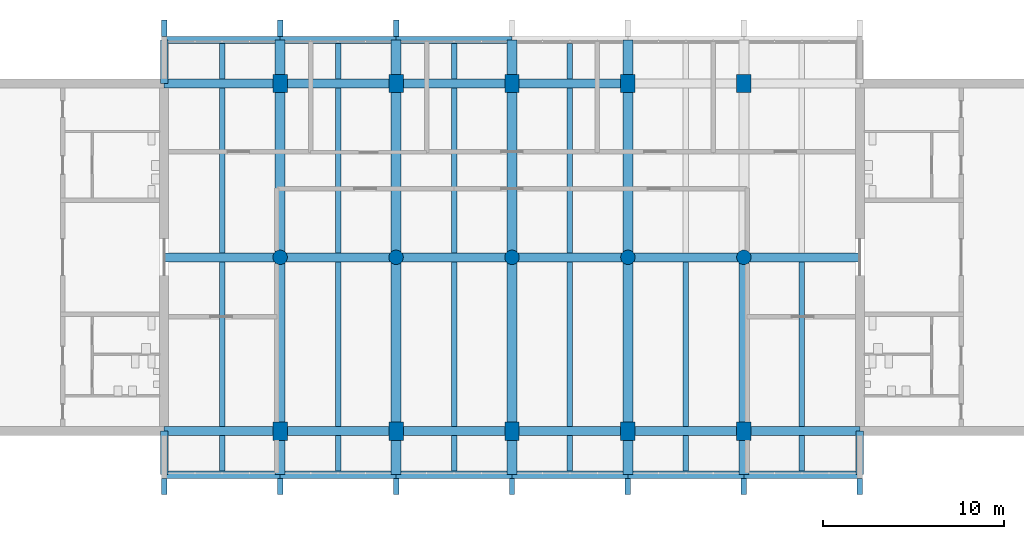
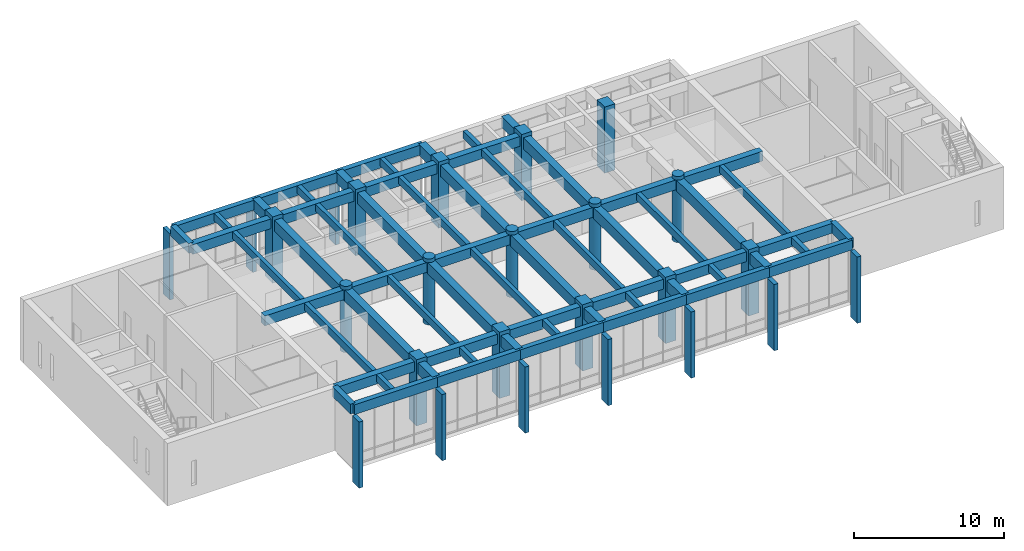
# One storey, part 1 of 10: 66 beams, 15 columns, 10 members.
"""IFC4 building model written with IfcOpenShell, lengths in metres."""

from ifc_helpers import new_model, si_unit, direction, frame, origin, origin_2d, place, context, subcontext, project, spatial, rectangle, circle, extrude, material, material_profile, profile_set, type_object, element, save


model = new_model("IFC4")

# Units and contexts
model_context = context("Model", 3, precision=1e-05, world=origin(), true_north=direction((0.0, 1.0)))
body_context = subcontext(model_context, "Body", "Model", "MODEL_VIEW")
ifc_project = project(units=[si_unit("LENGTHUNIT", "METRE"), si_unit("AREAUNIT", "SQUARE_METRE"), si_unit("VOLUMEUNIT", "CUBIC_METRE"), si_unit("PLANEANGLEUNIT", "RADIAN"), si_unit("MASSUNIT", "GRAM", prefix="KILO")], contexts=[model_context])

# Site, building, storey
site_placement = place(None, origin())
site = spatial("IfcSite", under=ifc_project, at=site_placement, CompositionType="ELEMENT")
building_placement = place(site_placement, origin())
building = spatial("IfcBuilding", under=site, at=building_placement, Name="Fogon Plaza Fire Station and Headquarters Tower", CompositionType="ELEMENT")
storey_placement = place(building_placement, frame((0.0, 0.0, 64.199951171875)))
storey = spatial("IfcBuildingStorey", under=building, at=storey_placement, Name="L16", CompositionType="ELEMENT", Elevation=64.199951171875)

# Columns
ifc_material_1 = material(Name="Concrete C40", Category="concrete")
ifc_material_profile_1 = material_profile(ifc_material_1, rectangle(XDim=0.800048828125, YDim=1.0, at=origin_2d()), Name="RC 800x1000")
ifc_profile_set_1 = profile_set([ifc_material_profile_1], Name="Concrete C40")
column_type_1 = type_object("IfcColumnType", Name="COLUMN RC 800x1000", PredefinedType="COLUMN", material=ifc_profile_set_1)
for number, where, z_axis, x_axis, name in (
    (1, (32.0, 33.60009765625, 0.0), (0.0, 0.0, 1.0), (1.0, 0.0, 0.0), "col-L16-4E"),
    (2, (32.0, 52.800048828125, 0.0), (0.0, 0.0, 1.0), (1.0, 0.0, 0.0), "col-L16-4G"),
    (3, (38.39990234375, 33.60009765625, 0.0), (0.0, 0.0, 1.0), (1.0, 0.0, 0.0), "col-L16-5E"),
    (4, (38.39990234375, 52.800048828125, 0.0), (0.0, 0.0, 1.0), (1.0, 0.0, 0.0), "col-L16-5G"),
    (5, (44.800048828125, 33.60009765625, 0.0), (0.0, 0.0, 1.0), (1.0, 0.0, 0.0), "col-L16-6E"),
    (6, (44.800048828125, 52.800048828125, 0.0), (0.0, 0.0, 1.0), (1.0, 0.0, 0.0), "col-L16-6G"),
    (7, (51.199951171875, 33.60009765625, 0.0), (0.0, 0.0, 1.0), (1.0, 0.0, 0.0), "col-L16-7E"),
    (8, (51.199951171875, 52.800048828125, 0.0), (0.0, 0.0, 1.0), (1.0, 0.0, 0.0), "col-L16-7G"),
    (9, (57.60009765625, 33.60009765625, 0.0), (0.0, 0.0, 1.0), (1.0, 0.0, 0.0), "col-L16-8E"),
    (10, (57.60009765625, 52.800048828125, 0.0), (0.0, 0.0, 1.0), (1.0, 0.0, 0.0), "col-L16-8G"),
):
    element("IfcColumn", number, at=place(storey_placement, frame(where, z_axis=z_axis, x_axis=x_axis)), inside=storey, type_object=column_type_1, Name=name, PredefinedType="COLUMN", context=body_context, shape_type="SweptSolid", body=[
        extrude(rectangle(XDim=0.800048828125, YDim=1.0, at=origin_2d()), origin(), (0.0, 0.0, 1.0), 5.400146484375),
    ])
ifc_material_2 = material(Name="Concrete C40", Category="concrete")
ifc_material_profile_2 = material_profile(ifc_material_2, circle(Radius=0.39990234375, at=origin_2d()), Name="RC D800")
ifc_profile_set_2 = profile_set([ifc_material_profile_2], Name="Concrete C40")
column_type_2 = type_object("IfcColumnType", Name="COLUMN RC D800", PredefinedType="COLUMN", material=ifc_profile_set_2)
for number, where, z_axis, x_axis, name in (
    (11, (32.0, 43.199951171875, 0.0), (0.0, 0.0, 1.0), (1.0, 0.0, 0.0), "col-L16-4F"),
    (12, (38.39990234375, 43.199951171875, 0.0), (0.0, 0.0, 1.0), (1.0, 0.0, 0.0), "col-L16-5F"),
    (13, (44.800048828125, 43.199951171875, 0.0), (0.0, 0.0, 1.0), (1.0, 0.0, 0.0), "col-L16-6F"),
    (14, (51.199951171875, 43.199951171875, 0.0), (0.0, 0.0, 1.0), (1.0, 0.0, 0.0), "col-L16-7F"),
    (15, (57.60009765625, 43.199951171875, 0.0), (0.0, 0.0, 1.0), (1.0, 0.0, 0.0), "col-L16-8F"),
):
    element("IfcColumn", number, at=place(storey_placement, frame(where, z_axis=z_axis, x_axis=x_axis)), inside=storey, type_object=column_type_2, Name=name, PredefinedType="COLUMN", context=body_context, shape_type="SweptSolid", body=[
        extrude(circle(Radius=0.39990234375, at=origin_2d()), origin(), (0.0, 0.0, 1.0), 5.400146484375),
    ])

# Beams
ifc_material_3 = material(Name="Concrete C40", Category="concrete")
ifc_material_profile_3 = material_profile(ifc_material_3, rectangle(XDim=0.39990234375, YDim=0.800048828125, at=origin_2d()), Name="RC 400x800")
ifc_profile_set_3 = profile_set([ifc_material_profile_3], Name="Concrete C40")
beam_type_1 = type_object("IfcBeamType", Name="BEAM RC 400x800", PredefinedType="BEAM", material=ifc_profile_set_3)
for number, where, z_axis, x_axis, name in (
    (16, (25.60009765625, 31.199951171875, 4.699951171875), (1.0, 0.0, 0.0), (0.0, 1.0, 0.0), "beam-L16-039"),
    (17, (32.0, 31.199951171875, 4.699951171875), (1.0, 0.0, 0.0), (0.0, 1.0, 0.0), "beam-L16-040"),
):
    element("IfcBeam", number, at=place(storey_placement, frame(where, z_axis=z_axis, x_axis=x_axis)), inside=storey, type_object=beam_type_1, Name=name, PredefinedType="BEAM", context=body_context, shape_type="SweptSolid", body=[
        extrude(rectangle(XDim=0.39990234375, YDim=0.800048828125, at=origin_2d()), origin(), (0.0, 0.0, 1.0), 6.39990234375),
    ])
beam_1_placement = place(storey_placement, frame((38.39990234375, 31.199951171875, 4.699951171875), z_axis=(1.0, 0.0, 0.0), x_axis=(0.0, 1.0, 0.0)))
element("IfcBeam", 18, at=beam_1_placement, inside=storey, type_object=beam_type_1, Name="beam-L16-041", PredefinedType="BEAM", context=body_context, shape_type="SweptSolid", body=[
    extrude(rectangle(XDim=0.39990234375, YDim=0.800048828125, at=origin_2d()), origin(), (0.0, 0.0, 1.0), 6.400146484375),
])
beam_2_placement = place(storey_placement, frame((44.800048828125, 31.199951171875, 4.699951171875), z_axis=(1.0, 0.0, 0.0), x_axis=(0.0, 1.0, 0.0)))
element("IfcBeam", 19, at=beam_2_placement, inside=storey, type_object=beam_type_1, Name="beam-L16-042", PredefinedType="BEAM", context=body_context, shape_type="SweptSolid", body=[
    extrude(rectangle(XDim=0.39990234375, YDim=0.800048828125, at=origin_2d()), origin(), (0.0, 0.0, 1.0), 6.39990234375),
])
beam_3_placement = place(storey_placement, frame((51.199951171875, 31.199951171875, 4.699951171875), z_axis=(1.0, 0.0, 0.0), x_axis=(0.0, 1.0, 0.0)))
element("IfcBeam", 20, at=beam_3_placement, inside=storey, type_object=beam_type_1, Name="beam-L16-043", PredefinedType="BEAM", context=body_context, shape_type="SweptSolid", body=[
    extrude(rectangle(XDim=0.39990234375, YDim=0.800048828125, at=origin_2d()), origin(), (0.0, 0.0, 1.0), 6.400146484375),
])
for number, where, z_axis, x_axis, name in (
    (21, (57.60009765625, 31.199951171875, 4.699951171875), (1.0, 0.0, 0.0), (0.0, 1.0, 0.0), "beam-L16-044"),
    (22, (25.60009765625, 55.199951171875, 4.699951171875), (1.0, 0.0, 0.0), (0.0, 1.0, 0.0), "beam-L16-045"),
    (23, (32.0, 55.199951171875, 4.699951171875), (1.0, 0.0, 0.0), (0.0, 1.0, 0.0), "beam-L16-046"),
):
    element("IfcBeam", number, at=place(storey_placement, frame(where, z_axis=z_axis, x_axis=x_axis)), inside=storey, type_object=beam_type_1, Name=name, PredefinedType="BEAM", context=body_context, shape_type="SweptSolid", body=[
        extrude(rectangle(XDim=0.39990234375, YDim=0.800048828125, at=origin_2d()), origin(), (0.0, 0.0, 1.0), 6.39990234375),
    ])
beam_4_placement = place(storey_placement, frame((38.39990234375, 55.199951171875, 4.699951171875), z_axis=(1.0, 0.0, 0.0), x_axis=(0.0, 1.0, 0.0)))
element("IfcBeam", 24, at=beam_4_placement, inside=storey, type_object=beam_type_1, Name="beam-L16-047", PredefinedType="BEAM", context=body_context, shape_type="SweptSolid", body=[
    extrude(rectangle(XDim=0.39990234375, YDim=0.800048828125, at=origin_2d()), origin(), (0.0, 0.0, 1.0), 6.400146484375),
])
ifc_material_4 = material(Name="Concrete C40", Category="concrete")
ifc_material_profile_4 = material_profile(ifc_material_4, rectangle(XDim=0.39990234375, YDim=0.800048828125, at=origin_2d()), Name="RC 400x800")
ifc_profile_set_4 = profile_set([ifc_material_profile_4], Name="Concrete C40")
beam_type_2 = type_object("IfcBeamType", Name="BEAM RC 400x800 SPAN 0.0 TO 3.0 M", PredefinedType="BEAM", material=ifc_profile_set_4)
beam_5_placement = place(storey_placement, frame((25.60009765625, 31.199951171875, 4.699951171875), z_axis=(0.0, 1.0, 0.0), x_axis=(-1.0, 0.0, 0.0)))
element("IfcBeam", 25, at=beam_5_placement, inside=storey, type_object=beam_type_2, Name="beam-L16-051", PredefinedType="BEAM", context=body_context, shape_type="SweptSolid", body=[
    extrude(rectangle(XDim=0.39990234375, YDim=0.800048828125, at=origin_2d()), origin(), (0.0, 0.0, 1.0), 2.400146484375),
])
beam_6_placement = place(storey_placement, frame((25.60009765625, 52.800048828125, 4.699951171875), z_axis=(0.0, 1.0, 0.0), x_axis=(-1.0, 0.0, 0.0)))
element("IfcBeam", 26, at=beam_6_placement, inside=storey, type_object=beam_type_2, Name="beam-L16-052", PredefinedType="BEAM", context=body_context, shape_type="SweptSolid", body=[
    extrude(rectangle(XDim=0.39990234375, YDim=0.800048828125, at=origin_2d()), origin(), (0.0, 0.0, 1.0), 2.39990234375),
])
beam_7_placement = place(storey_placement, frame((64.0, 31.199951171875, 4.699951171875), z_axis=(0.0, 1.0, 0.0), x_axis=(-1.0, 0.0, 0.0)))
element("IfcBeam", 27, at=beam_7_placement, inside=storey, type_object=beam_type_2, Name="beam-L16-053", PredefinedType="BEAM", context=body_context, shape_type="SweptSolid", body=[
    extrude(rectangle(XDim=0.39990234375, YDim=0.800048828125, at=origin_2d()), origin(), (0.0, 0.0, 1.0), 2.400146484375),
])
ifc_material_5 = material(Name="Concrete C40", Category="concrete")
ifc_material_profile_5 = material_profile(ifc_material_5, rectangle(XDim=0.5, YDim=0.800048828125, at=origin_2d()), Name="RC 500x800")
ifc_profile_set_5 = profile_set([ifc_material_profile_5], Name="Concrete C40")
beam_type_3 = type_object("IfcBeamType", Name="BEAM RC 500x800 SPAN 4.8 TO 7.7 M", PredefinedType="BEAM", material=ifc_profile_set_5)
for number, where, z_axis, x_axis, name in (
    (28, (25.60009765625, 33.60009765625, 4.699951171875), (1.0, 0.0, 0.0), (0.0, 1.0, 0.0), "beam-L16-021"),
    (29, (32.0, 33.60009765625, 4.699951171875), (1.0, 0.0, 0.0), (0.0, 1.0, 0.0), "beam-L16-022"),
):
    element("IfcBeam", number, at=place(storey_placement, frame(where, z_axis=z_axis, x_axis=x_axis)), inside=storey, type_object=beam_type_3, Name=name, PredefinedType="BEAM", context=body_context, shape_type="SweptSolid", body=[
        extrude(rectangle(XDim=0.5, YDim=0.800048828125, at=origin_2d()), origin(), (0.0, 0.0, 1.0), 6.39990234375),
    ])
beam_8_placement = place(storey_placement, frame((38.39990234375, 33.60009765625, 4.699951171875), z_axis=(1.0, 0.0, 0.0), x_axis=(0.0, 1.0, 0.0)))
element("IfcBeam", 30, at=beam_8_placement, inside=storey, type_object=beam_type_3, Name="beam-L16-023", PredefinedType="BEAM", context=body_context, shape_type="SweptSolid", body=[
    extrude(rectangle(XDim=0.5, YDim=0.800048828125, at=origin_2d()), origin(), (0.0, 0.0, 1.0), 6.400146484375),
])
beam_9_placement = place(storey_placement, frame((44.800048828125, 33.60009765625, 4.699951171875), z_axis=(1.0, 0.0, 0.0), x_axis=(0.0, 1.0, 0.0)))
element("IfcBeam", 31, at=beam_9_placement, inside=storey, type_object=beam_type_3, Name="beam-L16-024", PredefinedType="BEAM", context=body_context, shape_type="SweptSolid", body=[
    extrude(rectangle(XDim=0.5, YDim=0.800048828125, at=origin_2d()), origin(), (0.0, 0.0, 1.0), 6.39990234375),
])
beam_10_placement = place(storey_placement, frame((51.199951171875, 33.60009765625, 4.699951171875), z_axis=(1.0, 0.0, 0.0), x_axis=(0.0, 1.0, 0.0)))
element("IfcBeam", 32, at=beam_10_placement, inside=storey, type_object=beam_type_3, Name="beam-L16-025", PredefinedType="BEAM", context=body_context, shape_type="SweptSolid", body=[
    extrude(rectangle(XDim=0.5, YDim=0.800048828125, at=origin_2d()), origin(), (0.0, 0.0, 1.0), 6.400146484375),
])
for number, where, z_axis, x_axis, name in (
    (33, (57.60009765625, 33.60009765625, 4.699951171875), (1.0, 0.0, 0.0), (0.0, 1.0, 0.0), "beam-L16-026"),
    (34, (25.60009765625, 43.199951171875, 4.699951171875), (1.0, 0.0, 0.0), (0.0, 1.0, 0.0), "beam-L16-027"),
    (35, (32.0, 43.199951171875, 4.699951171875), (1.0, 0.0, 0.0), (0.0, 1.0, 0.0), "beam-L16-028"),
):
    element("IfcBeam", number, at=place(storey_placement, frame(where, z_axis=z_axis, x_axis=x_axis)), inside=storey, type_object=beam_type_3, Name=name, PredefinedType="BEAM", context=body_context, shape_type="SweptSolid", body=[
        extrude(rectangle(XDim=0.5, YDim=0.800048828125, at=origin_2d()), origin(), (0.0, 0.0, 1.0), 6.39990234375),
    ])
beam_11_placement = place(storey_placement, frame((38.39990234375, 43.199951171875, 4.699951171875), z_axis=(1.0, 0.0, 0.0), x_axis=(0.0, 1.0, 0.0)))
element("IfcBeam", 36, at=beam_11_placement, inside=storey, type_object=beam_type_3, Name="beam-L16-029", PredefinedType="BEAM", context=body_context, shape_type="SweptSolid", body=[
    extrude(rectangle(XDim=0.5, YDim=0.800048828125, at=origin_2d()), origin(), (0.0, 0.0, 1.0), 6.400146484375),
])
beam_12_placement = place(storey_placement, frame((44.800048828125, 43.199951171875, 4.699951171875), z_axis=(1.0, 0.0, 0.0), x_axis=(0.0, 1.0, 0.0)))
element("IfcBeam", 37, at=beam_12_placement, inside=storey, type_object=beam_type_3, Name="beam-L16-030", PredefinedType="BEAM", context=body_context, shape_type="SweptSolid", body=[
    extrude(rectangle(XDim=0.5, YDim=0.800048828125, at=origin_2d()), origin(), (0.0, 0.0, 1.0), 6.39990234375),
])
beam_13_placement = place(storey_placement, frame((51.199951171875, 43.199951171875, 4.699951171875), z_axis=(1.0, 0.0, 0.0), x_axis=(0.0, 1.0, 0.0)))
element("IfcBeam", 38, at=beam_13_placement, inside=storey, type_object=beam_type_3, Name="beam-L16-031", PredefinedType="BEAM", context=body_context, shape_type="SweptSolid", body=[
    extrude(rectangle(XDim=0.5, YDim=0.800048828125, at=origin_2d()), origin(), (0.0, 0.0, 1.0), 6.400146484375),
])
for number, where, z_axis, x_axis, name in (
    (39, (57.60009765625, 43.199951171875, 4.699951171875), (1.0, 0.0, 0.0), (0.0, 1.0, 0.0), "beam-L16-032"),
    (40, (25.60009765625, 52.800048828125, 4.699951171875), (1.0, 0.0, 0.0), (0.0, 1.0, 0.0), "beam-L16-033"),
    (41, (32.0, 52.800048828125, 4.699951171875), (1.0, 0.0, 0.0), (0.0, 1.0, 0.0), "beam-L16-034"),
):
    element("IfcBeam", number, at=place(storey_placement, frame(where, z_axis=z_axis, x_axis=x_axis)), inside=storey, type_object=beam_type_3, Name=name, PredefinedType="BEAM", context=body_context, shape_type="SweptSolid", body=[
        extrude(rectangle(XDim=0.5, YDim=0.800048828125, at=origin_2d()), origin(), (0.0, 0.0, 1.0), 6.39990234375),
    ])
beam_14_placement = place(storey_placement, frame((38.39990234375, 52.800048828125, 4.699951171875), z_axis=(1.0, 0.0, 0.0), x_axis=(0.0, 1.0, 0.0)))
element("IfcBeam", 42, at=beam_14_placement, inside=storey, type_object=beam_type_3, Name="beam-L16-035", PredefinedType="BEAM", context=body_context, shape_type="SweptSolid", body=[
    extrude(rectangle(XDim=0.5, YDim=0.800048828125, at=origin_2d()), origin(), (0.0, 0.0, 1.0), 6.400146484375),
])
beam_15_placement = place(storey_placement, frame((44.800048828125, 52.800048828125, 4.699951171875), z_axis=(1.0, 0.0, 0.0), x_axis=(0.0, 1.0, 0.0)))
element("IfcBeam", 43, at=beam_15_placement, inside=storey, type_object=beam_type_3, Name="beam-L16-036", PredefinedType="BEAM", context=body_context, shape_type="SweptSolid", body=[
    extrude(rectangle(XDim=0.5, YDim=0.800048828125, at=origin_2d()), origin(), (0.0, 0.0, 1.0), 6.39990234375),
])
ifc_material_6 = material(Name="Concrete C40", Category="concrete")
ifc_material_profile_6 = material_profile(ifc_material_6, rectangle(XDim=0.550048828125, YDim=0.89990234375, at=origin_2d()), Name="RC 550x900")
ifc_profile_set_6 = profile_set([ifc_material_profile_6], Name="Concrete C40")
beam_type_4 = type_object("IfcBeamType", Name="BEAM RC 550x900", PredefinedType="BEAM", material=ifc_profile_set_6)
beam_16_placement = place(storey_placement, frame((32.0, 33.60009765625, 4.650146484375), z_axis=(0.0, 1.0, 0.0), x_axis=(-1.0, 0.0, 0.0)))
element("IfcBeam", 44, at=beam_16_placement, inside=storey, type_object=beam_type_4, Name="beam-L16-002", PredefinedType="BEAM", context=body_context, shape_type="SweptSolid", body=[
    extrude(rectangle(XDim=0.550048828125, YDim=0.89990234375, at=origin_2d()), origin(), (0.0, 0.0, 1.0), 9.599853515625),
])
beam_17_placement = place(storey_placement, frame((32.0, 43.199951171875, 4.650146484375), z_axis=(0.0, 1.0, 0.0), x_axis=(-1.0, 0.0, 0.0)))
element("IfcBeam", 45, at=beam_17_placement, inside=storey, type_object=beam_type_4, Name="beam-L16-003", PredefinedType="BEAM", context=body_context, shape_type="SweptSolid", body=[
    extrude(rectangle(XDim=0.550048828125, YDim=0.89990234375, at=origin_2d()), origin(), (0.0, 0.0, 1.0), 9.60009765625),
])
beam_18_placement = place(storey_placement, frame((38.39990234375, 33.60009765625, 4.650146484375), z_axis=(0.0, 1.0, 0.0), x_axis=(-1.0, 0.0, 0.0)))
element("IfcBeam", 46, at=beam_18_placement, inside=storey, type_object=beam_type_4, Name="beam-L16-006", PredefinedType="BEAM", context=body_context, shape_type="SweptSolid", body=[
    extrude(rectangle(XDim=0.550048828125, YDim=0.89990234375, at=origin_2d()), origin(), (0.0, 0.0, 1.0), 9.599853515625),
])
beam_19_placement = place(storey_placement, frame((38.39990234375, 43.199951171875, 4.650146484375), z_axis=(0.0, 1.0, 0.0), x_axis=(-1.0, 0.0, 0.0)))
element("IfcBeam", 47, at=beam_19_placement, inside=storey, type_object=beam_type_4, Name="beam-L16-007", PredefinedType="BEAM", context=body_context, shape_type="SweptSolid", body=[
    extrude(rectangle(XDim=0.550048828125, YDim=0.89990234375, at=origin_2d()), origin(), (0.0, 0.0, 1.0), 9.60009765625),
])
beam_20_placement = place(storey_placement, frame((44.800048828125, 33.60009765625, 4.650146484375), z_axis=(0.0, 1.0, 0.0), x_axis=(-1.0, 0.0, 0.0)))
element("IfcBeam", 48, at=beam_20_placement, inside=storey, type_object=beam_type_4, Name="beam-L16-010", PredefinedType="BEAM", context=body_context, shape_type="SweptSolid", body=[
    extrude(rectangle(XDim=0.550048828125, YDim=0.89990234375, at=origin_2d()), origin(), (0.0, 0.0, 1.0), 9.599853515625),
])
beam_21_placement = place(storey_placement, frame((44.800048828125, 43.199951171875, 4.650146484375), z_axis=(0.0, 1.0, 0.0), x_axis=(-1.0, 0.0, 0.0)))
element("IfcBeam", 49, at=beam_21_placement, inside=storey, type_object=beam_type_4, Name="beam-L16-011", PredefinedType="BEAM", context=body_context, shape_type="SweptSolid", body=[
    extrude(rectangle(XDim=0.550048828125, YDim=0.89990234375, at=origin_2d()), origin(), (0.0, 0.0, 1.0), 9.60009765625),
])
beam_22_placement = place(storey_placement, frame((51.199951171875, 33.60009765625, 4.650146484375), z_axis=(0.0, 1.0, 0.0), x_axis=(-1.0, 0.0, 0.0)))
element("IfcBeam", 50, at=beam_22_placement, inside=storey, type_object=beam_type_4, Name="beam-L16-014", PredefinedType="BEAM", context=body_context, shape_type="SweptSolid", body=[
    extrude(rectangle(XDim=0.550048828125, YDim=0.89990234375, at=origin_2d()), origin(), (0.0, 0.0, 1.0), 9.599853515625),
])
beam_23_placement = place(storey_placement, frame((51.199951171875, 43.199951171875, 4.650146484375), z_axis=(0.0, 1.0, 0.0), x_axis=(-1.0, 0.0, 0.0)))
element("IfcBeam", 51, at=beam_23_placement, inside=storey, type_object=beam_type_4, Name="beam-L16-015", PredefinedType="BEAM", context=body_context, shape_type="SweptSolid", body=[
    extrude(rectangle(XDim=0.550048828125, YDim=0.89990234375, at=origin_2d()), origin(), (0.0, 0.0, 1.0), 9.60009765625),
])
beam_24_placement = place(storey_placement, frame((57.60009765625, 33.60009765625, 4.650146484375), z_axis=(0.0, 1.0, 0.0), x_axis=(-1.0, 0.0, 0.0)))
element("IfcBeam", 52, at=beam_24_placement, inside=storey, type_object=beam_type_4, Name="beam-L16-018", PredefinedType="BEAM", context=body_context, shape_type="SweptSolid", body=[
    extrude(rectangle(XDim=0.550048828125, YDim=0.89990234375, at=origin_2d()), origin(), (0.0, 0.0, 1.0), 9.599853515625),
])
ifc_material_7 = material(Name="Concrete C40", Category="concrete")
ifc_material_profile_7 = material_profile(ifc_material_7, rectangle(XDim=0.550048828125, YDim=0.89990234375, at=origin_2d()), Name="RC 550x900")
ifc_profile_set_7 = profile_set([ifc_material_profile_7], Name="Concrete C40")
beam_type_5 = type_object("IfcBeamType", Name="BEAM RC 550x900 SPAN 0.0 TO 3.0 M", PredefinedType="BEAM", material=ifc_profile_set_7)
beam_25_placement = place(storey_placement, frame((32.0, 31.199951171875, 4.650146484375), z_axis=(0.0, 1.0, 0.0), x_axis=(-1.0, 0.0, 0.0)))
element("IfcBeam", 53, at=beam_25_placement, inside=storey, type_object=beam_type_5, Name="beam-L16-001", PredefinedType="BEAM", context=body_context, shape_type="SweptSolid", body=[
    extrude(rectangle(XDim=0.550048828125, YDim=0.89990234375, at=origin_2d()), origin(), (0.0, 0.0, 1.0), 2.400146484375),
])
beam_26_placement = place(storey_placement, frame((32.0, 52.800048828125, 4.650146484375), z_axis=(0.0, 1.0, 0.0), x_axis=(-1.0, 0.0, 0.0)))
element("IfcBeam", 54, at=beam_26_placement, inside=storey, type_object=beam_type_5, Name="beam-L16-004", PredefinedType="BEAM", context=body_context, shape_type="SweptSolid", body=[
    extrude(rectangle(XDim=0.550048828125, YDim=0.89990234375, at=origin_2d()), origin(), (0.0, 0.0, 1.0), 2.39990234375),
])
beam_27_placement = place(storey_placement, frame((38.39990234375, 31.199951171875, 4.650146484375), z_axis=(0.0, 1.0, 0.0), x_axis=(-1.0, 0.0, 0.0)))
element("IfcBeam", 55, at=beam_27_placement, inside=storey, type_object=beam_type_5, Name="beam-L16-005", PredefinedType="BEAM", context=body_context, shape_type="SweptSolid", body=[
    extrude(rectangle(XDim=0.550048828125, YDim=0.89990234375, at=origin_2d()), origin(), (0.0, 0.0, 1.0), 2.400146484375),
])
beam_28_placement = place(storey_placement, frame((38.39990234375, 52.800048828125, 4.650146484375), z_axis=(0.0, 1.0, 0.0), x_axis=(-1.0, 0.0, 0.0)))
element("IfcBeam", 56, at=beam_28_placement, inside=storey, type_object=beam_type_5, Name="beam-L16-008", PredefinedType="BEAM", context=body_context, shape_type="SweptSolid", body=[
    extrude(rectangle(XDim=0.550048828125, YDim=0.89990234375, at=origin_2d()), origin(), (0.0, 0.0, 1.0), 2.39990234375),
])
beam_29_placement = place(storey_placement, frame((44.800048828125, 31.199951171875, 4.650146484375), z_axis=(0.0, 1.0, 0.0), x_axis=(-1.0, 0.0, 0.0)))
element("IfcBeam", 57, at=beam_29_placement, inside=storey, type_object=beam_type_5, Name="beam-L16-009", PredefinedType="BEAM", context=body_context, shape_type="SweptSolid", body=[
    extrude(rectangle(XDim=0.550048828125, YDim=0.89990234375, at=origin_2d()), origin(), (0.0, 0.0, 1.0), 2.400146484375),
])
beam_30_placement = place(storey_placement, frame((44.800048828125, 52.800048828125, 4.650146484375), z_axis=(0.0, 1.0, 0.0), x_axis=(-1.0, 0.0, 0.0)))
element("IfcBeam", 58, at=beam_30_placement, inside=storey, type_object=beam_type_5, Name="beam-L16-012", PredefinedType="BEAM", context=body_context, shape_type="SweptSolid", body=[
    extrude(rectangle(XDim=0.550048828125, YDim=0.89990234375, at=origin_2d()), origin(), (0.0, 0.0, 1.0), 2.39990234375),
])
beam_31_placement = place(storey_placement, frame((51.199951171875, 31.199951171875, 4.650146484375), z_axis=(0.0, 1.0, 0.0), x_axis=(-1.0, 0.0, 0.0)))
element("IfcBeam", 59, at=beam_31_placement, inside=storey, type_object=beam_type_5, Name="beam-L16-013", PredefinedType="BEAM", context=body_context, shape_type="SweptSolid", body=[
    extrude(rectangle(XDim=0.550048828125, YDim=0.89990234375, at=origin_2d()), origin(), (0.0, 0.0, 1.0), 2.400146484375),
])
beam_32_placement = place(storey_placement, frame((51.199951171875, 52.800048828125, 4.650146484375), z_axis=(0.0, 1.0, 0.0), x_axis=(-1.0, 0.0, 0.0)))
element("IfcBeam", 60, at=beam_32_placement, inside=storey, type_object=beam_type_5, Name="beam-L16-016", PredefinedType="BEAM", context=body_context, shape_type="SweptSolid", body=[
    extrude(rectangle(XDim=0.550048828125, YDim=0.89990234375, at=origin_2d()), origin(), (0.0, 0.0, 1.0), 2.39990234375),
])
beam_33_placement = place(storey_placement, frame((57.60009765625, 31.199951171875, 4.650146484375), z_axis=(0.0, 1.0, 0.0), x_axis=(-1.0, 0.0, 0.0)))
element("IfcBeam", 61, at=beam_33_placement, inside=storey, type_object=beam_type_5, Name="beam-L16-017", PredefinedType="BEAM", context=body_context, shape_type="SweptSolid", body=[
    extrude(rectangle(XDim=0.550048828125, YDim=0.89990234375, at=origin_2d()), origin(), (0.0, 0.0, 1.0), 2.400146484375),
])
ifc_material_8 = material(Name="Concrete C40", Category="concrete")
ifc_material_profile_8 = material_profile(ifc_material_8, rectangle(XDim=0.300048828125, YDim=0.60009765625, at=origin_2d()), Name="RC 300x600")
ifc_profile_set_8 = profile_set([ifc_material_profile_8], Name="Concrete C40")
beam_type_6 = type_object("IfcBeamType", Name="JOIST RC 300x600", PredefinedType="JOIST", material=ifc_profile_set_8)
beam_34_placement = place(storey_placement, frame((28.800048828125, 33.85009765625, 4.800048828125), z_axis=(0.0, 1.0, 0.0), x_axis=(-1.0, 0.0, 0.0)))
element("IfcBeam", 62, at=beam_34_placement, inside=storey, type_object=beam_type_6, Name="beam-L16-056", PredefinedType="JOIST", context=body_context, shape_type="SweptSolid", body=[
    extrude(rectangle(XDim=0.300048828125, YDim=0.60009765625, at=origin_2d()), origin(), (0.0, 0.0, 1.0), 9.099853515625),
])
beam_35_placement = place(storey_placement, frame((28.800048828125, 43.449951171875, 4.800048828125), z_axis=(0.0, 1.0, 0.0), x_axis=(-1.0, 0.0, 0.0)))
element("IfcBeam", 63, at=beam_35_placement, inside=storey, type_object=beam_type_6, Name="beam-L16-057", PredefinedType="JOIST", context=body_context, shape_type="SweptSolid", body=[
    extrude(rectangle(XDim=0.300048828125, YDim=0.60009765625, at=origin_2d()), origin(), (0.0, 0.0, 1.0), 9.10009765625),
])
beam_36_placement = place(storey_placement, frame((35.199951171875, 33.85009765625, 4.800048828125), z_axis=(0.0, 1.0, 0.0), x_axis=(-1.0, 0.0, 0.0)))
element("IfcBeam", 64, at=beam_36_placement, inside=storey, type_object=beam_type_6, Name="beam-L16-060", PredefinedType="JOIST", context=body_context, shape_type="SweptSolid", body=[
    extrude(rectangle(XDim=0.300048828125, YDim=0.60009765625, at=origin_2d()), origin(), (0.0, 0.0, 1.0), 9.099853515625),
])
beam_37_placement = place(storey_placement, frame((35.199951171875, 43.449951171875, 4.800048828125), z_axis=(0.0, 1.0, 0.0), x_axis=(-1.0, 0.0, 0.0)))
element("IfcBeam", 65, at=beam_37_placement, inside=storey, type_object=beam_type_6, Name="beam-L16-061", PredefinedType="JOIST", context=body_context, shape_type="SweptSolid", body=[
    extrude(rectangle(XDim=0.300048828125, YDim=0.60009765625, at=origin_2d()), origin(), (0.0, 0.0, 1.0), 9.10009765625),
])
beam_38_placement = place(storey_placement, frame((41.60009765625, 33.85009765625, 4.800048828125), z_axis=(0.0, 1.0, 0.0), x_axis=(-1.0, 0.0, 0.0)))
element("IfcBeam", 66, at=beam_38_placement, inside=storey, type_object=beam_type_6, Name="beam-L16-064", PredefinedType="JOIST", context=body_context, shape_type="SweptSolid", body=[
    extrude(rectangle(XDim=0.300048828125, YDim=0.60009765625, at=origin_2d()), origin(), (0.0, 0.0, 1.0), 9.099853515625),
])
beam_39_placement = place(storey_placement, frame((41.60009765625, 43.449951171875, 4.800048828125), z_axis=(0.0, 1.0, 0.0), x_axis=(-1.0, 0.0, 0.0)))
element("IfcBeam", 67, at=beam_39_placement, inside=storey, type_object=beam_type_6, Name="beam-L16-065", PredefinedType="JOIST", context=body_context, shape_type="SweptSolid", body=[
    extrude(rectangle(XDim=0.300048828125, YDim=0.60009765625, at=origin_2d()), origin(), (0.0, 0.0, 1.0), 9.10009765625),
])
beam_40_placement = place(storey_placement, frame((48.0, 33.85009765625, 4.800048828125), z_axis=(0.0, 1.0, 0.0), x_axis=(-1.0, 0.0, 0.0)))
element("IfcBeam", 68, at=beam_40_placement, inside=storey, type_object=beam_type_6, Name="beam-L16-068", PredefinedType="JOIST", context=body_context, shape_type="SweptSolid", body=[
    extrude(rectangle(XDim=0.300048828125, YDim=0.60009765625, at=origin_2d()), origin(), (0.0, 0.0, 1.0), 9.099853515625),
])
beam_41_placement = place(storey_placement, frame((48.0, 43.449951171875, 4.800048828125), z_axis=(0.0, 1.0, 0.0), x_axis=(-1.0, 0.0, 0.0)))
element("IfcBeam", 69, at=beam_41_placement, inside=storey, type_object=beam_type_6, Name="beam-L16-069", PredefinedType="JOIST", context=body_context, shape_type="SweptSolid", body=[
    extrude(rectangle(XDim=0.300048828125, YDim=0.60009765625, at=origin_2d()), origin(), (0.0, 0.0, 1.0), 9.10009765625),
])
for number, where, z_axis, x_axis, name in (
    (70, (54.39990234375, 33.85009765625, 4.800048828125), (0.0, 1.0, 0.0), (-1.0, 0.0, 0.0), "beam-L16-072"),
    (71, (60.800048828125, 33.85009765625, 4.800048828125), (0.0, 1.0, 0.0), (-1.0, 0.0, 0.0), "beam-L16-076"),
):
    element("IfcBeam", number, at=place(storey_placement, frame(where, z_axis=z_axis, x_axis=x_axis)), inside=storey, type_object=beam_type_6, Name=name, PredefinedType="JOIST", context=body_context, shape_type="SweptSolid", body=[
        extrude(rectangle(XDim=0.300048828125, YDim=0.60009765625, at=origin_2d()), origin(), (0.0, 0.0, 1.0), 9.099853515625),
    ])
ifc_material_9 = material(Name="Concrete C40", Category="concrete")
ifc_material_profile_9 = material_profile(ifc_material_9, rectangle(XDim=0.300048828125, YDim=0.60009765625, at=origin_2d()), Name="RC 300x600")
ifc_profile_set_9 = profile_set([ifc_material_profile_9], Name="Concrete C40")
beam_type_7 = type_object("IfcBeamType", Name="JOIST RC 300x600 SPAN 0.0 TO 3.0 M", PredefinedType="JOIST", material=ifc_profile_set_9)
beam_42_placement = place(storey_placement, frame((28.800048828125, 31.39990234375, 4.800048828125), z_axis=(0.0, 1.0, 0.0), x_axis=(-1.0, 0.0, 0.0)))
element("IfcBeam", 72, at=beam_42_placement, inside=storey, type_object=beam_type_7, Name="beam-L16-055", PredefinedType="JOIST", context=body_context, shape_type="SweptSolid", body=[
    extrude(rectangle(XDim=0.300048828125, YDim=0.60009765625, at=origin_2d()), origin(), (0.0, 0.0, 1.0), 1.9501953125),
])
beam_43_placement = place(storey_placement, frame((28.800048828125, 53.050048828125, 4.800048828125), z_axis=(0.0, 1.0, 0.0), x_axis=(-1.0, 0.0, 0.0)))
element("IfcBeam", 73, at=beam_43_placement, inside=storey, type_object=beam_type_7, Name="beam-L16-058", PredefinedType="JOIST", context=body_context, shape_type="SweptSolid", body=[
    extrude(rectangle(XDim=0.300048828125, YDim=0.60009765625, at=origin_2d()), origin(), (0.0, 0.0, 1.0), 1.949951171875),
])
beam_44_placement = place(storey_placement, frame((35.199951171875, 31.39990234375, 4.800048828125), z_axis=(0.0, 1.0, 0.0), x_axis=(-1.0, 0.0, 0.0)))
element("IfcBeam", 74, at=beam_44_placement, inside=storey, type_object=beam_type_7, Name="beam-L16-059", PredefinedType="JOIST", context=body_context, shape_type="SweptSolid", body=[
    extrude(rectangle(XDim=0.300048828125, YDim=0.60009765625, at=origin_2d()), origin(), (0.0, 0.0, 1.0), 1.9501953125),
])
beam_45_placement = place(storey_placement, frame((35.199951171875, 53.050048828125, 4.800048828125), z_axis=(0.0, 1.0, 0.0), x_axis=(-1.0, 0.0, 0.0)))
element("IfcBeam", 75, at=beam_45_placement, inside=storey, type_object=beam_type_7, Name="beam-L16-062", PredefinedType="JOIST", context=body_context, shape_type="SweptSolid", body=[
    extrude(rectangle(XDim=0.300048828125, YDim=0.60009765625, at=origin_2d()), origin(), (0.0, 0.0, 1.0), 1.949951171875),
])
beam_46_placement = place(storey_placement, frame((41.60009765625, 31.39990234375, 4.800048828125), z_axis=(0.0, 1.0, 0.0), x_axis=(-1.0, 0.0, 0.0)))
element("IfcBeam", 76, at=beam_46_placement, inside=storey, type_object=beam_type_7, Name="beam-L16-063", PredefinedType="JOIST", context=body_context, shape_type="SweptSolid", body=[
    extrude(rectangle(XDim=0.300048828125, YDim=0.60009765625, at=origin_2d()), origin(), (0.0, 0.0, 1.0), 1.9501953125),
])
beam_47_placement = place(storey_placement, frame((41.60009765625, 53.050048828125, 4.800048828125), z_axis=(0.0, 1.0, 0.0), x_axis=(-1.0, 0.0, 0.0)))
element("IfcBeam", 77, at=beam_47_placement, inside=storey, type_object=beam_type_7, Name="beam-L16-066", PredefinedType="JOIST", context=body_context, shape_type="SweptSolid", body=[
    extrude(rectangle(XDim=0.300048828125, YDim=0.60009765625, at=origin_2d()), origin(), (0.0, 0.0, 1.0), 1.949951171875),
])
beam_48_placement = place(storey_placement, frame((48.0, 31.39990234375, 4.800048828125), z_axis=(0.0, 1.0, 0.0), x_axis=(-1.0, 0.0, 0.0)))
element("IfcBeam", 78, at=beam_48_placement, inside=storey, type_object=beam_type_7, Name="beam-L16-067", PredefinedType="JOIST", context=body_context, shape_type="SweptSolid", body=[
    extrude(rectangle(XDim=0.300048828125, YDim=0.60009765625, at=origin_2d()), origin(), (0.0, 0.0, 1.0), 1.9501953125),
])
beam_49_placement = place(storey_placement, frame((48.0, 53.050048828125, 4.800048828125), z_axis=(0.0, 1.0, 0.0), x_axis=(-1.0, 0.0, 0.0)))
element("IfcBeam", 79, at=beam_49_placement, inside=storey, type_object=beam_type_7, Name="beam-L16-070", PredefinedType="JOIST", context=body_context, shape_type="SweptSolid", body=[
    extrude(rectangle(XDim=0.300048828125, YDim=0.60009765625, at=origin_2d()), origin(), (0.0, 0.0, 1.0), 1.949951171875),
])
for number, where, z_axis, x_axis, name in (
    (80, (54.39990234375, 31.39990234375, 4.800048828125), (0.0, 1.0, 0.0), (-1.0, 0.0, 0.0), "beam-L16-071"),
    (81, (60.800048828125, 31.39990234375, 4.800048828125), (0.0, 1.0, 0.0), (-1.0, 0.0, 0.0), "beam-L16-075"),
):
    element("IfcBeam", number, at=place(storey_placement, frame(where, z_axis=z_axis, x_axis=x_axis)), inside=storey, type_object=beam_type_7, Name=name, PredefinedType="JOIST", context=body_context, shape_type="SweptSolid", body=[
        extrude(rectangle(XDim=0.300048828125, YDim=0.60009765625, at=origin_2d()), origin(), (0.0, 0.0, 1.0), 1.9501953125),
    ])

# Members
ifc_material_10 = material(Name="Concrete C40 precast", Category="concrete")
ifc_material_profile_10 = material_profile(ifc_material_10, rectangle(XDim=0.300048828125, YDim=0.89990234375, at=origin_2d()), Name="Precast Concrete Post 300x900")
ifc_profile_set_10 = profile_set([ifc_material_profile_10], Name="Concrete C40 precast")
member_type = type_object("IfcMemberType", Name="Precast Concrete Post 300x900", PredefinedType="POST", material=ifc_profile_set_10)
for number, where, z_axis, x_axis, name in (
    (82, (25.60009765625, 30.550048828125, -1.099853515625), (0.0, 0.0, 1.0), (1.0, 0.0, 0.0), "Precast Post S L16"),
    (83, (32.0, 30.550048828125, -1.099853515625), (0.0, 0.0, 1.0), (1.0, 0.0, 0.0), "Precast Post S L16"),
    (84, (38.39990234375, 30.550048828125, -1.099853515625), (0.0, 0.0, 1.0), (1.0, 0.0, 0.0), "Precast Post S L16"),
    (85, (44.800048828125, 30.550048828125, -1.099853515625), (0.0, 0.0, 1.0), (1.0, 0.0, 0.0), "Precast Post S L16"),
    (86, (51.199951171875, 30.550048828125, -1.099853515625), (0.0, 0.0, 1.0), (1.0, 0.0, 0.0), "Precast Post S L16"),
    (87, (57.60009765625, 30.550048828125, -1.099853515625), (0.0, 0.0, 1.0), (1.0, 0.0, 0.0), "Precast Post S L16"),
    (88, (64.0, 30.550048828125, -1.099853515625), (0.0, 0.0, 1.0), (1.0, 0.0, 0.0), "Precast Post S L16"),
    (89, (25.60009765625, 55.85009765625, -1.099853515625), (0.0, 0.0, 1.0), (1.0, 0.0, 0.0), "Precast Post N L16"),
    (90, (32.0, 55.85009765625, -1.099853515625), (0.0, 0.0, 1.0), (1.0, 0.0, 0.0), "Precast Post N L16"),
    (91, (38.39990234375, 55.85009765625, -1.099853515625), (0.0, 0.0, 1.0), (1.0, 0.0, 0.0), "Precast Post N L16"),
):
    element("IfcMember", number, at=place(storey_placement, frame(where, z_axis=z_axis, x_axis=x_axis)), inside=storey, type_object=member_type, Name=name, PredefinedType="POST", context=body_context, shape_type="SweptSolid", body=[
        extrude(rectangle(XDim=0.300048828125, YDim=0.89990234375, at=origin_2d()), origin(), (0.0, 0.0, 1.0), 5.39990234375),
    ])

save(model, "model.ifc")
